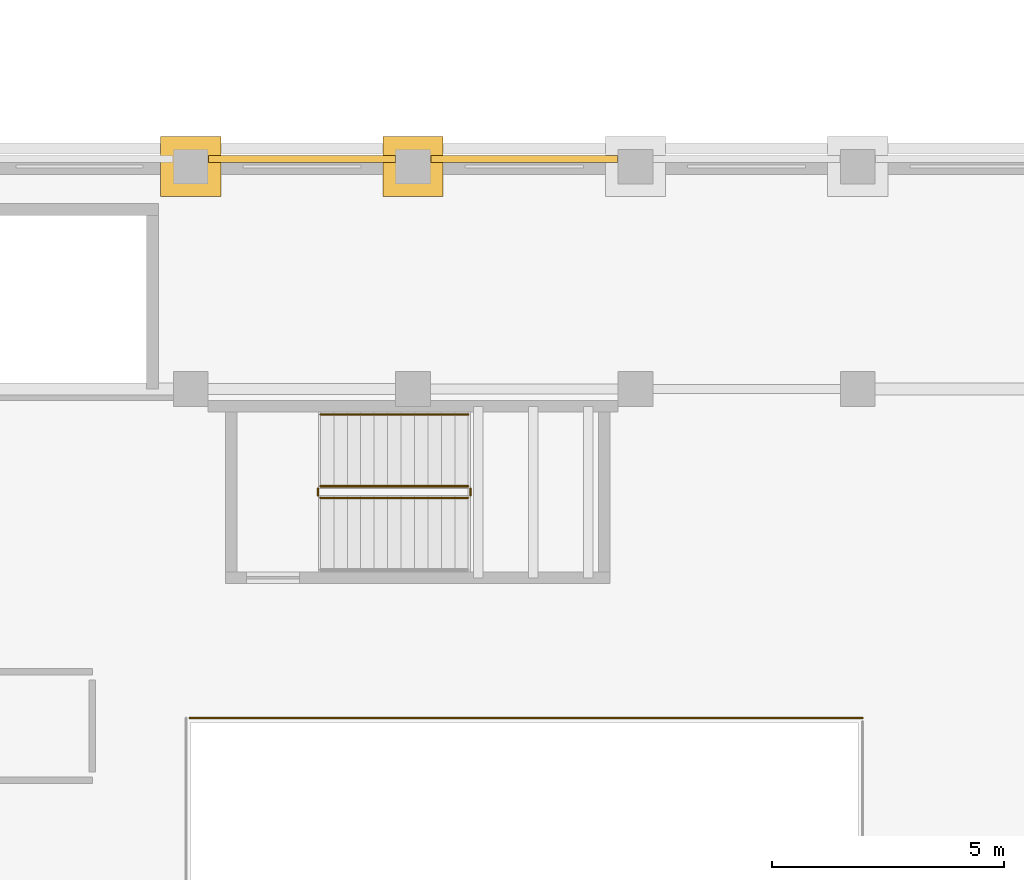
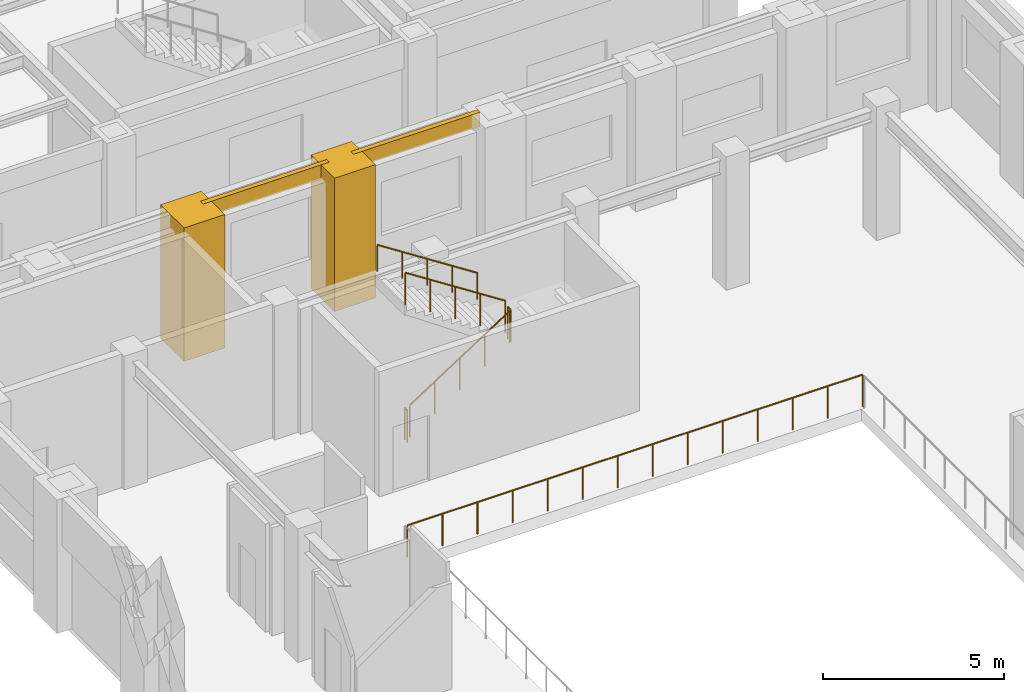
# One storey, part 40 of 46: 6 railings, 4 coverings.
"""IFC4 building model written with IfcOpenShell, lengths in metres."""

from ifc_helpers import new_model, si_unit, direction, frame, origin, origin_2d, place, context, subcontext, project, spatial, polyline, circle, outline, extrude, material, layer, layer_set, type_object, element, save


model = new_model("IFC4")

# Units and contexts
model_context = context("Model", 3, precision=1e-05, world=origin(), true_north=direction((0.0, 1.0)))
body_context = subcontext(model_context, "Body", "Model", "MODEL_VIEW")
ifc_project = project(units=[si_unit("LENGTHUNIT", "METRE"), si_unit("AREAUNIT", "SQUARE_METRE"), si_unit("VOLUMEUNIT", "CUBIC_METRE"), si_unit("PLANEANGLEUNIT", "RADIAN"), si_unit("MASSUNIT", "GRAM", prefix="KILO")], contexts=[model_context])

# Site, building, storey
site_placement = place(None, origin())
site = spatial("IfcSite", under=ifc_project, at=site_placement, CompositionType="ELEMENT")
building_placement = place(site_placement, origin())
building = spatial("IfcBuilding", under=site, at=building_placement, Name="Mavantir Sound Aquarium", CompositionType="ELEMENT")
storey_placement = place(building_placement, frame((0.0, 0.0, 15.300048828125)))
storey = spatial("IfcBuildingStorey", under=building, at=storey_placement, Name="L03", CompositionType="ELEMENT", Elevation=15.300048828125)

# Coverings
ifc_material_1 = material(Name="Honed Coral-Limestone & Glazed Terracotta Rainscreen Cladding", Category="masonry")
ifc_layer = layer(ifc_material_1, 0.06005859375, Name="Honed Coral-Limestone & Glazed Terracotta Rainscreen Cladding")
ifc_layer_set = layer_set([ifc_layer], Name="Honed Coral-Limestone & Glazed Terracotta Rainscreen Cladding")
covering_type = type_object("IfcCoveringType", Name="COV-CLAD-TC", PredefinedType="CLADDING", material=ifc_layer_set)
covering_1_placement = place(storey_placement, frame((0.0, 0.0, 4.02490234375)))
element("IfcCovering", 1, at=covering_1_placement, inside=storey, type_object=covering_type, Name="L03 Postmodern coral-limestone spandrel frieze 410", PredefinedType="CLADDING", context=body_context, shape_type="SweptSolid", body=[
    extrude(outline(polyline([(18.81689453125, 79.2900390625), (14.782958984375, 79.2900390625), (14.782958984375, 79.43994140625), (18.81689453125, 79.43994140625), (18.81689453125, 79.2900390625)])), origin(), (0.0, 0.0, 1.0), 0.47509765625),
])
covering_2_placement = place(storey_placement, frame((0.0, 0.0, 4.02490234375)))
element("IfcCovering", 2, at=covering_2_placement, inside=storey, type_object=covering_type, Name="L03 Postmodern coral-limestone spandrel frieze 411", PredefinedType="CLADDING", context=body_context, shape_type="SweptSolid", body=[
    extrude(outline(polyline([(14.01708984375, 79.2900390625), (9.98291015625, 79.2900390625), (9.98291015625, 79.43994140625), (14.01708984375, 79.43994140625), (14.01708984375, 79.2900390625)])), origin(), (0.0, 0.0, 1.0), 0.47509765625),
])
covering_3_placement = place(storey_placement, origin())
element("IfcCovering", 3, at=covering_3_placement, inside=storey, type_object=covering_type, Name="L03 Postmodern coral-limestone pilaster casing 52", PredefinedType="CLADDING", context=body_context, shape_type="SweptSolid", body=[
    extrude(outline(polyline([(8.949951171875, 78.550048828125), (10.25, 78.550048828125), (10.25, 79.85009765625), (8.949951171875, 79.85009765625), (8.949951171875, 78.550048828125)])), origin(), (0.0, 0.0, 1.0), 4.5),
])
covering_4_placement = place(storey_placement, origin())
element("IfcCovering", 4, at=covering_4_placement, inside=storey, type_object=covering_type, Name="L03 Postmodern coral-limestone pilaster casing 60", PredefinedType="CLADDING", context=body_context, shape_type="SweptSolid", body=[
    extrude(outline(polyline([(13.75, 78.550048828125), (15.050048828125, 78.550048828125), (15.050048828125, 79.85009765625), (13.75, 79.85009765625), (13.75, 78.550048828125)])), origin(), (0.0, 0.0, 1.0), 4.5),
])

# Railings
ifc_material_2 = material(Name="Stainless Steel 316 and Laminated Glass Guardrail", Category="steel")
railing_type_1 = type_object("IfcRailingType", Name="RL-GUARD-110", PredefinedType="GUARDRAIL", material=ifc_material_2)
railing_1_placement = place(storey_placement, frame((24.10009765625, 67.300048828125, 0.0)))
element("IfcRailing", 5, at=railing_1_placement, inside=storey, type_object=railing_type_1, Name="L03 atrium void N guardrail 145", PredefinedType="GUARDRAIL", context=body_context, shape_type="SweptSolid", body=[
    extrude(circle(Radius=0.02392578125, at=origin_2d()), frame((0.0, 0.0, 1.076171875), z_axis=(-1.0, 0.0, 0.0), x_axis=(0.0, -1.0, 0.0)), (0.0, 0.0, 1.0), 14.52001953125),
    extrude(circle(Radius=0.02099609375, at=origin_2d()), origin(), (0.0, 0.0, 1.0), 1.052001953125),
    extrude(circle(Radius=0.02099609375, at=origin_2d()), frame((-1.116943359375, 0.0, 0.0)), (0.0, 0.0, 1.0), 1.052001953125),
    extrude(circle(Radius=0.02099609375, at=origin_2d()), frame((-2.23388671875, 0.0, 0.0)), (0.0, 0.0, 1.0), 1.052001953125),
    extrude(circle(Radius=0.02099609375, at=origin_2d()), frame((-3.350830078125, 0.0, 0.0)), (0.0, 0.0, 1.0), 1.052001953125),
    extrude(circle(Radius=0.02099609375, at=origin_2d()), frame((-4.4677734375, 0.0, 0.0)), (0.0, 0.0, 1.0), 1.052001953125),
    extrude(circle(Radius=0.02099609375, at=origin_2d()), frame((-5.584716796875, 0.0, 0.0)), (0.0, 0.0, 1.0), 1.052001953125),
    extrude(circle(Radius=0.02099609375, at=origin_2d()), frame((-6.70166015625, 0.0, 0.0)), (0.0, 0.0, 1.0), 1.052001953125),
    extrude(circle(Radius=0.02099609375, at=origin_2d()), frame((-7.818359375, 0.0, 0.0)), (0.0, 0.0, 1.0), 1.052001953125),
    extrude(circle(Radius=0.02099609375, at=origin_2d()), frame((-8.935302734375, 0.0, 0.0)), (0.0, 0.0, 1.0), 1.052001953125),
    extrude(circle(Radius=0.02099609375, at=origin_2d()), frame((-10.05224609375, 0.0, 0.0)), (0.0, 0.0, 1.0), 1.052001953125),
    extrude(circle(Radius=0.02099609375, at=origin_2d()), frame((-11.169189453125, 0.0, 0.0)), (0.0, 0.0, 1.0), 1.052001953125),
    extrude(circle(Radius=0.02099609375, at=origin_2d()), frame((-12.2861328125, 0.0, 0.0)), (0.0, 0.0, 1.0), 1.052001953125),
    extrude(circle(Radius=0.02099609375, at=origin_2d()), frame((-13.403076171875, 0.0, 0.0)), (0.0, 0.0, 1.0), 1.052001953125),
    extrude(circle(Radius=0.02099609375, at=origin_2d()), frame((-14.52001953125, 0.0, 0.0)), (0.0, 0.0, 1.0), 1.052001953125),
])
railing_2_placement = place(storey_placement, frame((12.39990234375, 72.050048828125, 0.1875)))
element("IfcRailing", 6, at=railing_2_placement, inside=storey, type_object=railing_type_1, Name="L03 ST10 stair guard 1", PredefinedType="GUARDRAIL", context=body_context, shape_type="SweptSolid", body=[
    extrude(circle(Radius=0.02392578125, at=origin_2d()), frame((0.0, 0.0, 1.076171875), z_axis=(0.839778728322, 0.0, 0.542928805147), x_axis=(0.0, 1.0, 0.0)), (0.0, 0.0, 1.0), 3.798828125),
    extrude(circle(Radius=0.02099609375, at=origin_2d()), origin(), (0.0, 0.0, 1.0), 1.052001953125),
    extrude(circle(Radius=0.02099609375, at=origin_2d()), frame((0.797607421875, 0.0, 0.515625)), (0.0, 0.0, 1.0), 1.052001953125),
    extrude(circle(Radius=0.02099609375, at=origin_2d()), frame((1.59521484375, 0.0, 1.03125)), (0.0, 0.0, 1.0), 1.052001953125),
    extrude(circle(Radius=0.02099609375, at=origin_2d()), frame((2.392578125, 0.0, 1.546875)), (0.0, 0.0, 1.0), 1.052001953125),
    extrude(circle(Radius=0.02099609375, at=origin_2d()), frame((3.190185546875, 0.0, 2.0625)), (0.0, 0.0, 1.0), 1.052001953125),
])
railing_3_placement = place(storey_placement, frame((15.639892578125, 72.10009765625, 2.25)))
element("IfcRailing", 7, at=railing_3_placement, inside=storey, type_object=railing_type_1, Name="L03 ST10 stair guard 2", PredefinedType="GUARDRAIL", context=body_context, shape_type="SweptSolid", body=[
    extrude(circle(Radius=0.02392578125, at=origin_2d()), frame((0.0, 0.0, 1.076171875), z_axis=(0.0, 1.0, 0.0), x_axis=(-1.0, 0.0, 0.0)), (0.0, 0.0, 1.0), 0.14990234375),
    extrude(circle(Radius=0.02099609375, at=origin_2d()), origin(), (0.0, 0.0, 1.0), 1.052001953125),
    extrude(circle(Radius=0.02099609375, at=origin_2d()), frame((0.0, 0.14990234375, 0.0)), (0.0, 0.0, 1.0), 1.052001953125),
])
railing_4_placement = place(storey_placement, frame((15.590087890625, 72.300048828125, 2.4375)))
element("IfcRailing", 8, at=railing_4_placement, inside=storey, type_object=railing_type_1, Name="L03 ST10 stair guard 3", PredefinedType="GUARDRAIL", context=body_context, shape_type="SweptSolid", body=[
    extrude(circle(Radius=0.02392578125, at=origin_2d()), frame((0.0, 0.0, 1.076171875), z_axis=(-0.839778728322, 0.0, 0.542928805147), x_axis=(0.0, -1.0, 0.0)), (0.0, 0.0, 1.0), 3.798828125),
    extrude(circle(Radius=0.02099609375, at=origin_2d()), origin(), (0.0, 0.0, 1.0), 1.052001953125),
    extrude(circle(Radius=0.02099609375, at=origin_2d()), frame((-0.797607421875, 0.0, 0.515625)), (0.0, 0.0, 1.0), 1.052001953125),
    extrude(circle(Radius=0.02099609375, at=origin_2d()), frame((-1.59521484375, 0.0, 1.03125)), (0.0, 0.0, 1.0), 1.052001953125),
    extrude(circle(Radius=0.02099609375, at=origin_2d()), frame((-2.392578125, 0.0, 1.546875)), (0.0, 0.0, 1.0), 1.052001953125),
    extrude(circle(Radius=0.02099609375, at=origin_2d()), frame((-3.190185546875, 0.0, 2.0625)), (0.0, 0.0, 1.0), 1.052001953125),
])
railing_5_placement = place(storey_placement, frame((12.35009765625, 72.10009765625, 0.0)))
element("IfcRailing", 9, at=railing_5_placement, inside=storey, type_object=railing_type_1, Name="L03 ST10 stair guard 4", PredefinedType="GUARDRAIL", context=body_context, shape_type="SweptSolid", body=[
    extrude(circle(Radius=0.02392578125, at=origin_2d()), frame((0.0, 0.0, 1.076171875), z_axis=(0.0, 1.0, 0.0), x_axis=(-1.0, 0.0, 0.0)), (0.0, 0.0, 1.0), 0.14990234375),
    extrude(circle(Radius=0.02099609375, at=origin_2d()), origin(), (0.0, 0.0, 1.0), 1.052001953125),
    extrude(circle(Radius=0.02099609375, at=origin_2d()), frame((0.0, 0.14990234375, 0.0)), (0.0, 0.0, 1.0), 1.052001953125),
])
ifc_material_3 = material(Name="Brushed Stainless Steel 316 Handrail", Category="steel")
railing_type_2 = type_object("IfcRailingType", Name="RL-HR-90", PredefinedType="HANDRAIL", material=ifc_material_3)
railing_6_placement = place(storey_placement, frame((15.590087890625, 73.85009765625, 2.62255859375)))
element("IfcRailing", 10, at=railing_6_placement, inside=storey, type_object=railing_type_2, Name="L03 ST10 stair handrail 2", PredefinedType="HANDRAIL", context=body_context, shape_type="SweptSolid", body=[
    extrude(circle(Radius=0.02392578125, at=origin_2d()), frame((0.0, 0.0, 0.89111328125), z_axis=(-0.839778728322, 0.0, 0.542928805147), x_axis=(0.0, -1.0, 0.0)), (0.0, 0.0, 1.0), 3.798828125),
    extrude(circle(Radius=0.02099609375, at=origin_2d()), origin(), (0.0, 0.0, 1.0), 0.866943359375),
    extrude(circle(Radius=0.02099609375, at=origin_2d()), frame((-0.797607421875, 0.0, 0.515625)), (0.0, 0.0, 1.0), 0.866943359375),
    extrude(circle(Radius=0.02099609375, at=origin_2d()), frame((-1.59521484375, 0.0, 1.03125)), (0.0, 0.0, 1.0), 0.866943359375),
    extrude(circle(Radius=0.02099609375, at=origin_2d()), frame((-2.392578125, 0.0, 1.546875)), (0.0, 0.0, 1.0), 0.866943359375),
    extrude(circle(Radius=0.02099609375, at=origin_2d()), frame((-3.190185546875, 0.0, 2.0625)), (0.0, 0.0, 1.0), 0.866943359375),
])

save(model, "model.ifc")
